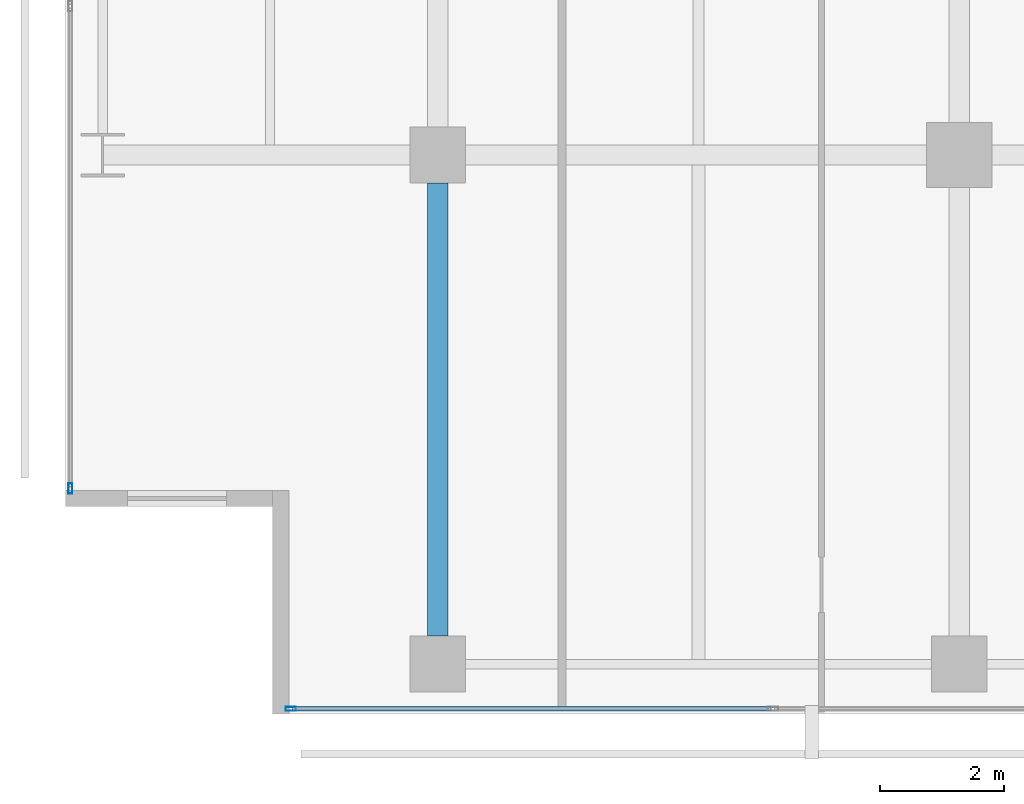
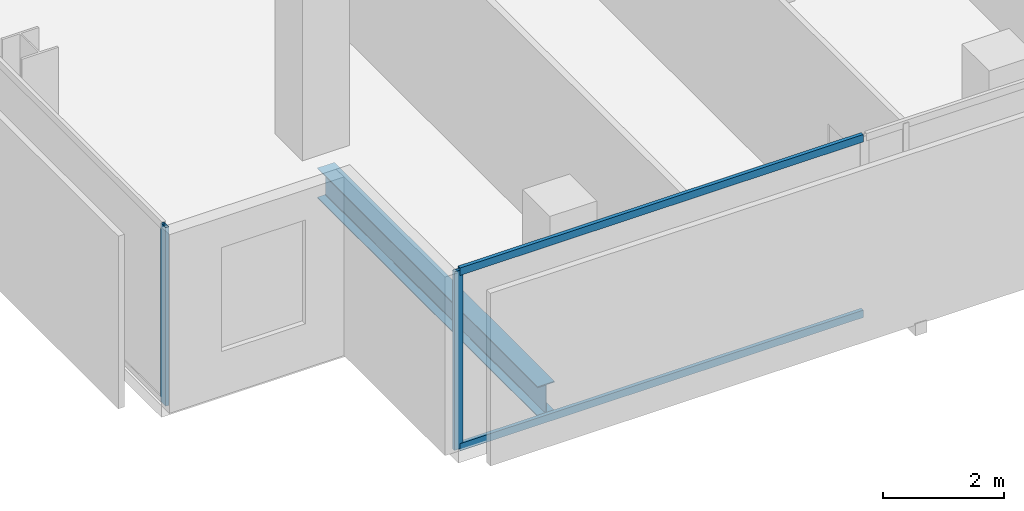
# One storey, part 2 of 40: 4 members, 1 beam, 2 elements without a shape of their own.
"""IFC4 building model written with IfcOpenShell, lengths in metres."""

from ifc_helpers import new_model, si_unit, direction, frame, origin, origin_2d, place, context, subcontext, project, spatial, hollow_rectangle, i_section, extrude, material, layer, layer_set, material_profile, profile_set, type_object, element, aggregate, save


model = new_model("IFC4")

# Units and contexts
model_context = context("Model", 3, precision=1e-05, world=origin(), true_north=direction((0.0, 1.0)))
body_context = subcontext(model_context, "Body", "Model", "MODEL_VIEW")
ifc_project = project(units=[si_unit("LENGTHUNIT", "METRE"), si_unit("AREAUNIT", "SQUARE_METRE"), si_unit("VOLUMEUNIT", "CUBIC_METRE"), si_unit("PLANEANGLEUNIT", "RADIAN"), si_unit("MASSUNIT", "GRAM", prefix="KILO")], contexts=[model_context])

# Site, building, storey
site_placement = place(None, origin())
site = spatial("IfcSite", under=ifc_project, at=site_placement, CompositionType="ELEMENT")
building_placement = place(site_placement, origin())
building = spatial("IfcBuilding", under=site, at=building_placement, Name="Maruvema Waterfront Hotel and Observation Tower", CompositionType="ELEMENT")
storey_placement = place(building_placement, frame((0.0, 0.0, 107.800048828125)))
storey = spatial("IfcBuildingStorey", under=building, at=storey_placement, Name="L26", CompositionType="ELEMENT", Elevation=107.800048828125)

# Curtain wall, members
ifc_material_1 = material(Name="Anodised bronze aluminium and solar-control low-E IGU", Category="aluminium")
ifc_layer = layer(ifc_material_1, 0.159912109375, Name="Zone 1 Bronze Inner Thermal Curtain Wall System CW-02")
ifc_layer_set = layer_set([ifc_layer], Name="Anodised bronze aluminium and solar-control low-E IGU")
curtain_wall_type = type_object("IfcCurtainWallType", Name="Zone 1 Bronze Inner Thermal Curtain Wall System CW-02", PredefinedType="USERDEFINED", material=ifc_layer_set)
curtain_wall_1_placement = place(storey_placement, origin())
curtain_wall_1 = element("IfcCurtainWall", 1, at=curtain_wall_1_placement, inside=storey, type_object=curtain_wall_type, Name="L26 Curtain Wall CW-L26-S", ObjectType="UNITISED CURTAIN WALL", PredefinedType="USERDEFINED")
ifc_material_2 = material(Name="Anodised architectural bronze aluminium", Category="aluminium")
ifc_material_profile_1 = material_profile(ifc_material_2, hollow_rectangle(XDim=0.070068359375, YDim=0.14990234375, WallThickness=0.00390625, at=origin_2d()), Name="ALU-T70x150")
ifc_profile_set_1 = profile_set([ifc_material_profile_1], Name="Anodised architectural bronze aluminium")
member_type_1 = type_object("IfcMemberType", Name="Curtain Wall Horizontal Transom ALU-T70x150", PredefinedType="USERDEFINED", material=ifc_profile_set_1)
member_1_placement = place(storey_placement, frame((14.4599609375, 0.080078125, 0.030029296875), z_axis=(1.0, 0.0, 0.0), x_axis=(0.0, 1.0, 0.0)))
member_1 = element("IfcMember", 2, at=member_1_placement, type_object=member_type_1, Name="CW-02 transom 1.1", ObjectType="TRANSOM", PredefinedType="USERDEFINED", context=body_context, shape_type="SweptSolid", body=[
    extrude(hollow_rectangle(XDim=0.070068359375, YDim=0.14990234375, WallThickness=0.00390625, at=origin_2d()), origin(), (0.0, 0.0, 1.0), 7.7099609375),
])
member_2_placement = place(storey_placement, frame((14.4599609375, 0.080078125, 3.579833984375), z_axis=(1.0, 0.0, 0.0), x_axis=(0.0, 1.0, 0.0)))
member_2 = element("IfcMember", 3, at=member_2_placement, type_object=member_type_1, Name="CW-02 transom 1.2", ObjectType="TRANSOM", PredefinedType="USERDEFINED", context=body_context, shape_type="SweptSolid", body=[
    extrude(hollow_rectangle(XDim=0.070068359375, YDim=0.14990234375, WallThickness=0.00390625, at=origin_2d()), origin(), (0.0, 0.0, 1.0), 7.7099609375),
])
ifc_material_3 = material(Name="Anodised architectural bronze aluminium", Category="aluminium")
ifc_material_profile_2 = material_profile(ifc_material_3, hollow_rectangle(XDim=0.06494140625, YDim=0.1650390625, WallThickness=0.00390625, at=origin_2d()), Name="ALU-M65x165")
ifc_profile_set_2 = profile_set([ifc_material_profile_2], Name="Anodised architectural bronze aluminium")
member_type_2 = type_object("IfcMemberType", Name="Curtain Wall Primary Mullion ALU-M65x165", PredefinedType="MULLION", material=ifc_profile_set_2)
member_3_placement = place(storey_placement, frame((14.429931640625, 0.080078125, 0.0), z_axis=(0.0, 0.0, 1.0), x_axis=(0.0, 1.0, 0.0)))
member_3 = element("IfcMember", 4, at=member_3_placement, type_object=member_type_2, Name="CW-02 mullion 1", PredefinedType="MULLION", context=body_context, shape_type="SweptSolid", body=[
    extrude(hollow_rectangle(XDim=0.06494140625, YDim=0.1650390625, WallThickness=0.00390625, at=origin_2d()), origin(), (0.0, 0.0, 1.0), 3.60986328125),
])
aggregate(curtain_wall_1, [member_3, member_1, member_2])

# Curtain wall, member
curtain_wall_2_placement = place(storey_placement, origin())
curtain_wall_2 = element("IfcCurtainWall", 5, at=curtain_wall_2_placement, inside=storey, type_object=curtain_wall_type, Name="L26 Curtain Wall CW-L26-W", ObjectType="UNITISED CURTAIN WALL", PredefinedType="USERDEFINED")
member_4_placement = place(storey_placement, frame((10.8798828125, 3.6298828125, 0.0), z_axis=(0.0, 0.0, 1.0), x_axis=(1.0, 0.0, 0.0)))
member_4 = element("IfcMember", 6, at=member_4_placement, type_object=member_type_2, Name="CW-02 mullion 7", PredefinedType="MULLION", context=body_context, shape_type="SweptSolid", body=[
    extrude(hollow_rectangle(XDim=0.06494140625, YDim=0.1650390625, WallThickness=0.00390625, at=origin_2d()), origin(), (0.0, 0.0, 1.0), 3.60986328125),
])
aggregate(curtain_wall_2, [member_4])

# Beam
ifc_material_4 = material(Name="Steel ASTM A572 Grade 50", Category="steel")
ifc_material_profile_3 = material_profile(ifc_material_4, i_section(OverallWidth=0.323974609375, OverallDepth=0.611083984375, WebThickness=0.0126953125, FlangeThickness=0.01904296875, FilletRadius=0.01806640625, at=origin_2d()), Name="W610x155.0")
ifc_profile_set_3 = profile_set([ifc_material_profile_3], Name="Steel ASTM A572 Grade 50")
beam_type = type_object("IfcBeamType", Name="Primary Floor Girder W610x155.0", PredefinedType="BEAM", material=ifc_profile_set_3)
beam_placement = place(storey_placement, frame((16.800048828125, 1.25, -0.545654296875), z_axis=(0.0, 1.0, 0.0), x_axis=(-1.0, 0.0, 0.0)))
element("IfcBeam", 7, at=beam_placement, inside=storey, type_object=beam_type, Name="L26 Floor Girder NS-05", PredefinedType="BEAM", context=body_context, shape_type="SweptSolid", body=[
    extrude(i_section(OverallWidth=0.323974609375, OverallDepth=0.611083984375, WebThickness=0.0126953125, FlangeThickness=0.01904296875, FilletRadius=0.01806640625, at=origin_2d()), origin(), (0.0, 0.0, 1.0), 7.300048828125),
])

save(model, "model.ifc")
